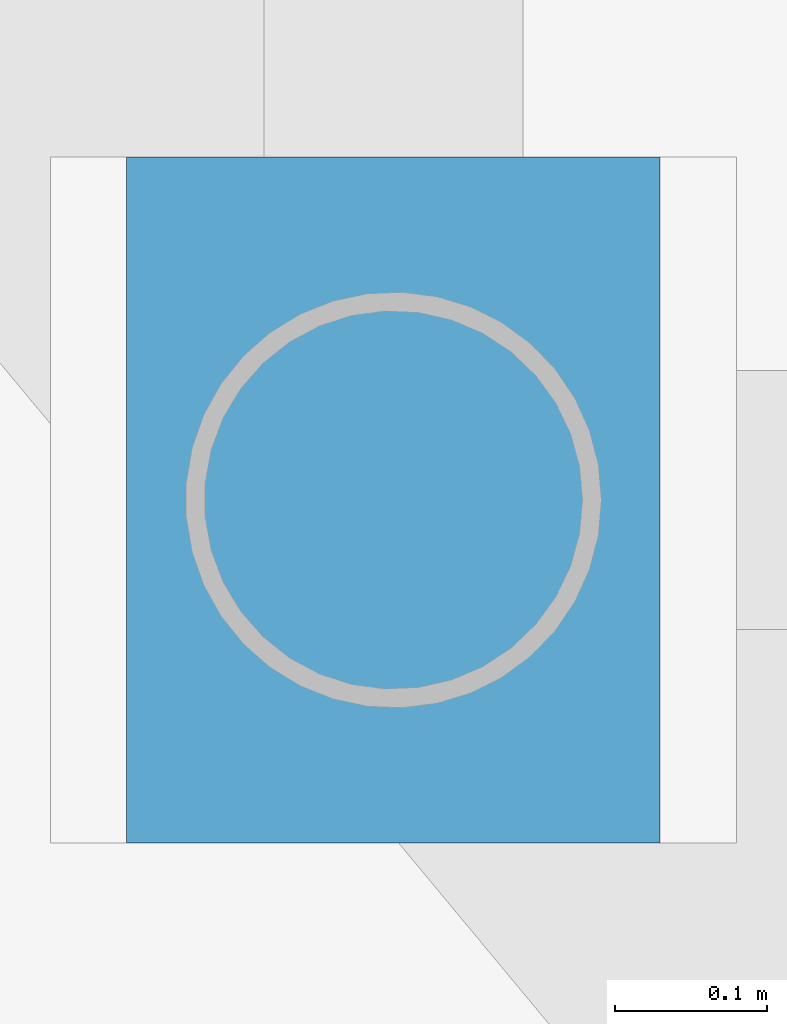
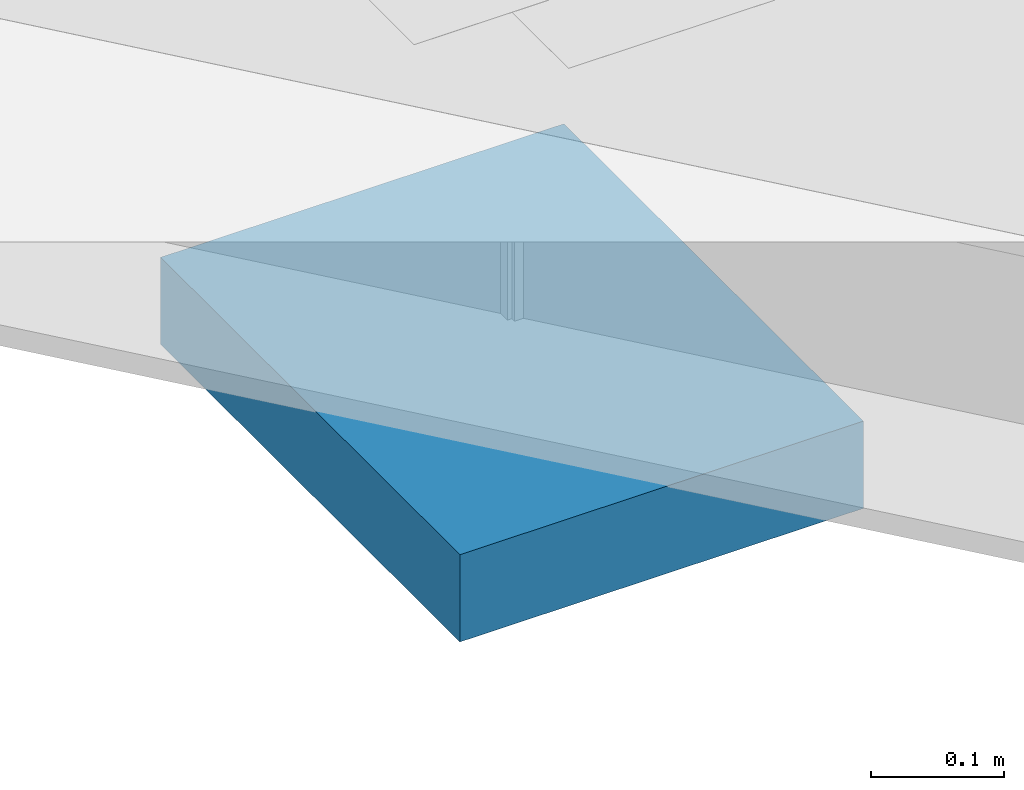
# One storey, part 122 of 134: 1 discrete accessory.
"""IFC4 building model written with IfcOpenShell, lengths in metres."""

import ifcopenshell
import ifcopenshell.guid

model = None  # the IFC model being written
_history = None  # IfcOwnerHistory: only IFC2X3 demands one
_inside = {}  # id of a spatial element -> (the spatial element, [elements in it])
_under = {}  # id of a project, library or spatial element -> (it, [spatial elements below it])
_declared = {}  # id of a project -> (the project, [libraries it declares])
_typed = {}  # id of a type object -> (the type object, [elements of that type])
_made_of = {}  # id of a material, layer set ... -> (it, [elements and type objects made of it])


def new_model(schema):
    """Start an empty IFC model of exactly this schema.

    Asked for "IFC4X3", IfcOpenShell would pick the latest addendum, in which some entities
    have other attributes; the version numbers below select the first issue.
    IFC2X3 requires an IfcOwnerHistory on every rooted entity: one is made here for all.
    """
    global model, _history
    if schema == "IFC4X3":
        model = ifcopenshell.file(schema_version=(4, 3, 0, 0))
    else:
        model = ifcopenshell.file(schema=schema)
    _inside.clear()
    _under.clear()
    _declared.clear()
    _typed.clear()
    _made_of.clear()
    _history = None
    if model.schema == "IFC2X3":
        org = make("IfcOrganization", Name="unknown")
        user = make(
            "IfcPersonAndOrganization",
            ThePerson=make("IfcPerson", FamilyName="unknown"),
            TheOrganization=org,
        )
        app = make(
            "IfcApplication",
            ApplicationDeveloper=org,
            Version="unknown",
            ApplicationFullName="unknown",
            ApplicationIdentifier="unknown",
        )
        _history = make(
            "IfcOwnerHistory",
            OwningUser=user,
            OwningApplication=app,
            ChangeAction="ADDED",
            CreationDate=0,
        )
    return model


def make(cls, **values):
    """One entity of the class cls with the attributes given. An attribute that is None is left unset."""
    return model.create_entity(
        cls, **{name: value for name, value in values.items() if value is not None}
    )


def rooted(cls, **values):
    """An entity with a GlobalId (a new one), such as an element, a storey or a relation."""
    return make(cls, GlobalId=ifcopenshell.guid.new(), OwnerHistory=_history, **values)


def si_unit(unit_type, name, prefix=None):
    """IfcSIUnit, for example si_unit("LENGTHUNIT", "METRE", prefix="MILLI")."""
    return make("IfcSIUnit", UnitType=unit_type, Prefix=prefix, Name=name)


def assignment(units):
    """IfcUnitAssignment: the units of a project."""
    return None if units is None else make("IfcUnitAssignment", Units=units)


def point(xyz):
    """IfcCartesianPoint."""
    return None if xyz is None else make("IfcCartesianPoint", Coordinates=xyz)


def direction(xyz):
    """IfcDirection."""
    return None if xyz is None else make("IfcDirection", DirectionRatios=xyz)


def frame(location, z_axis=None, x_axis=None):
    """IfcAxis2Placement3D, a coordinate frame: its origin and axes. An axis left out is left unset."""
    return make(
        "IfcAxis2Placement3D",
        Location=point(location),
        Axis=direction(z_axis),
        RefDirection=direction(x_axis),
    )


def frame_2d(location, x_axis=None):
    """IfcAxis2Placement2D, a coordinate frame in the plane: its origin and x axis."""
    return make(
        "IfcAxis2Placement2D", Location=point(location), RefDirection=direction(x_axis)
    )


def origin():
    """The frame at (0, 0, 0) with its axes left unset."""
    return frame((0.0, 0.0, 0.0))


def origin_2d():
    """The frame at (0, 0) in the plane with its x axis left unset."""
    return frame_2d((0.0, 0.0))


def place(relative_to, where):
    """IfcLocalPlacement: puts the frame where relative to a parent placement (None: the world)."""
    return make(
        "IfcLocalPlacement", PlacementRelTo=relative_to, RelativePlacement=where
    )


def context(
    kind, dimensions, precision=None, world=None, true_north=None, identifier=None
):
    """IfcGeometricRepresentationContext, for example the 3D "Model" context."""
    return make(
        "IfcGeometricRepresentationContext",
        ContextIdentifier=identifier,
        ContextType=kind,
        CoordinateSpaceDimension=dimensions,
        Precision=precision,
        WorldCoordinateSystem=world,
        TrueNorth=true_north,
    )


def subcontext(parent, identifier, kind, view, scale=None):
    """IfcGeometricRepresentationSubContext, for example "Body" below "Model"."""
    return make(
        "IfcGeometricRepresentationSubContext",
        ContextIdentifier=identifier,
        ContextType=kind,
        ParentContext=parent,
        TargetScale=scale,
        TargetView=view,
    )


def project(units=None, contexts=None):
    """IfcProject with its units and contexts."""
    return rooted(
        "IfcProject",
        Name="project",
        RepresentationContexts=contexts,
        UnitsInContext=assignment(units),
    )


def spatial(cls, under=None, at=None, **own):
    """A site, building, storey or space (cls), placed at a placement, below another one or the project."""
    s = rooted(cls, ObjectPlacement=at, **own)
    if under is not None:
        _under.setdefault(under.id(), (under, []))[1].append(s)
    return s


def profile(cls, at=None, kind="AREA", **sizes):
    """A parametric profile (cls). Its sizes go by their IFC names, for example OverallWidth=200.0."""
    return make(cls, ProfileType=kind, Position=at, **sizes)


def rectangle(**sizes):
    """IfcRectangleProfileDef."""
    return profile("IfcRectangleProfileDef", **sizes)


def extrude(swept, where, along, depth):
    """IfcExtrudedAreaSolid: the profile swept, set in the frame where, extruded along a direction by depth."""
    return make(
        "IfcExtrudedAreaSolid",
        SweptArea=swept,
        Position=where,
        ExtrudedDirection=direction(along),
        Depth=depth,
    )


def shape(context_of_items, identifier, shape_type, items):
    """IfcShapeRepresentation: the items that make up one representation, for example the "Body"."""
    return make(
        "IfcShapeRepresentation",
        ContextOfItems=context_of_items,
        RepresentationIdentifier=identifier,
        RepresentationType=shape_type,
        Items=items,
    )


def material(Name=None, Category=None):
    """IfcMaterial."""
    return make("IfcMaterial", Name=Name, Category=Category)


def made_of(thing, what):
    """Note that an element or type object is made of a material, layer set ...; save() writes the relation."""
    if what is not None:
        _made_of.setdefault(what.id(), (what, []))[1].append(thing)
    return thing


def type_object(cls, material=None, **own):
    """A type object (cls), such as IfcWallType, which elements share."""
    return made_of(rooted(cls, **own), material)


def element(
    cls,
    number,
    at=None,
    inside=None,
    cuts=None,
    type_object=None,
    material=None,
    context=None,
    identifier="Body",
    shape_type=None,
    held_by="IfcProductDefinitionShape",
    body=None,
    shapes=None,
    **own,
):
    """One element of the class cls, such as IfcWall. Its Tag is "e" and its number.

    at: its placement. inside: the storey or other place that contains it. cuts: it is an
    opening in that element (IfcRelVoidsElement). A single representation is given by context,
    identifier, shape_type and body (its items); several are given by shapes. held_by: the class
    of the entity that holds the representations. save() writes the other relations.
    """
    e = rooted(cls, Tag="e%d" % number, ObjectPlacement=at, **own)
    if body is not None:
        shapes = [shape(context, identifier, shape_type, body)]
    if shapes is not None:
        e.Representation = make(held_by, Representations=shapes)
    if inside is not None:
        _inside.setdefault(inside.id(), (inside, []))[1].append(e)
    if cuts is not None:
        rooted(
            "IfcRelVoidsElement", RelatingBuildingElement=cuts, RelatedOpeningElement=e
        )
    if type_object is not None:
        _typed.setdefault(type_object.id(), (type_object, []))[1].append(e)
    return made_of(e, material)


def aggregate(whole, parts):
    """IfcRelAggregates: a whole, such as a stair, and the parts it consists of."""
    return rooted("IfcRelAggregates", RelatingObject=whole, RelatedObjects=parts)


def save(model, path):
    """Write the relations noted so far, then the file.

    IfcRelAggregates (storeys below a building ...), IfcRelContainedInSpatialStructure (elements
    in a storey), IfcRelDefinesByType, IfcRelAssociatesMaterial and IfcRelDeclares: one each for
    every whole, place, type object, material and project.
    """
    for whole, parts in _under.values():
        aggregate(whole, parts)
    for where, things in _inside.values():
        rooted(
            "IfcRelContainedInSpatialStructure",
            RelatedElements=things,
            RelatingStructure=where,
        )
    for kind, things in _typed.values():
        rooted("IfcRelDefinesByType", RelatedObjects=things, RelatingType=kind)
    for what, things in _made_of.values():
        rooted("IfcRelAssociatesMaterial", RelatedObjects=things, RelatingMaterial=what)
    for by, libraries in _declared.values():
        rooted("IfcRelDeclares", RelatingContext=by, RelatedDefinitions=libraries)
    model.write(path)


model = new_model("IFC4")

# Units and contexts
model_context = context("Model", 3, precision=1e-05, world=origin(), true_north=direction((0.0, 1.0)))
body_context = subcontext(model_context, "Body", "Model", "MODEL_VIEW")
ifc_project = project(units=[si_unit("LENGTHUNIT", "METRE"), si_unit("AREAUNIT", "SQUARE_METRE"), si_unit("VOLUMEUNIT", "CUBIC_METRE"), si_unit("PLANEANGLEUNIT", "RADIAN"), si_unit("MASSUNIT", "GRAM", prefix="KILO")], contexts=[model_context])

# Site, building, storey
site_placement = place(None, origin())
site = spatial("IfcSite", under=ifc_project, at=site_placement, CompositionType="ELEMENT")
building_placement = place(site_placement, origin())
building = spatial("IfcBuilding", under=site, at=building_placement, Name="Sohan Crest Arena", CompositionType="ELEMENT")
storey_placement = place(building_placement, frame((0.0, 0.0, 4.5)))
storey = spatial("IfcBuildingStorey", under=building, at=storey_placement, Name="L01", CompositionType="ELEMENT", Elevation=4.5)

# Discrete accessory
ifc_material = material(Name="Steel S355", Category="steel")
discrete_accessory_type = type_object("IfcDiscreteAccessoryType", Name="STR-ACC-SLB1", PredefinedType="USERDEFINED", material=ifc_material)
discrete_accessory_placement = place(storey_placement, frame((181.75, 57.699951171875, -0.655029296875), z_axis=(0.0, 0.0, 1.0), x_axis=(1.0, 0.0, 0.0)))
element("IfcDiscreteAccessory", 1, at=discrete_accessory_placement, inside=storey, type_object=discrete_accessory_type, Name="Unguided PTFE sliding bridge bearing BR-E1", ObjectType="SLIDING BEARING", PredefinedType="USERDEFINED", context=body_context, shape_type="SweptSolid", body=[
    extrude(rectangle(XDim=0.35009765625, YDim=0.449951171875, at=origin_2d()), origin(), (0.0, 0.0, 1.0), 0.080078125),
])

save(model, "model.ifc")
